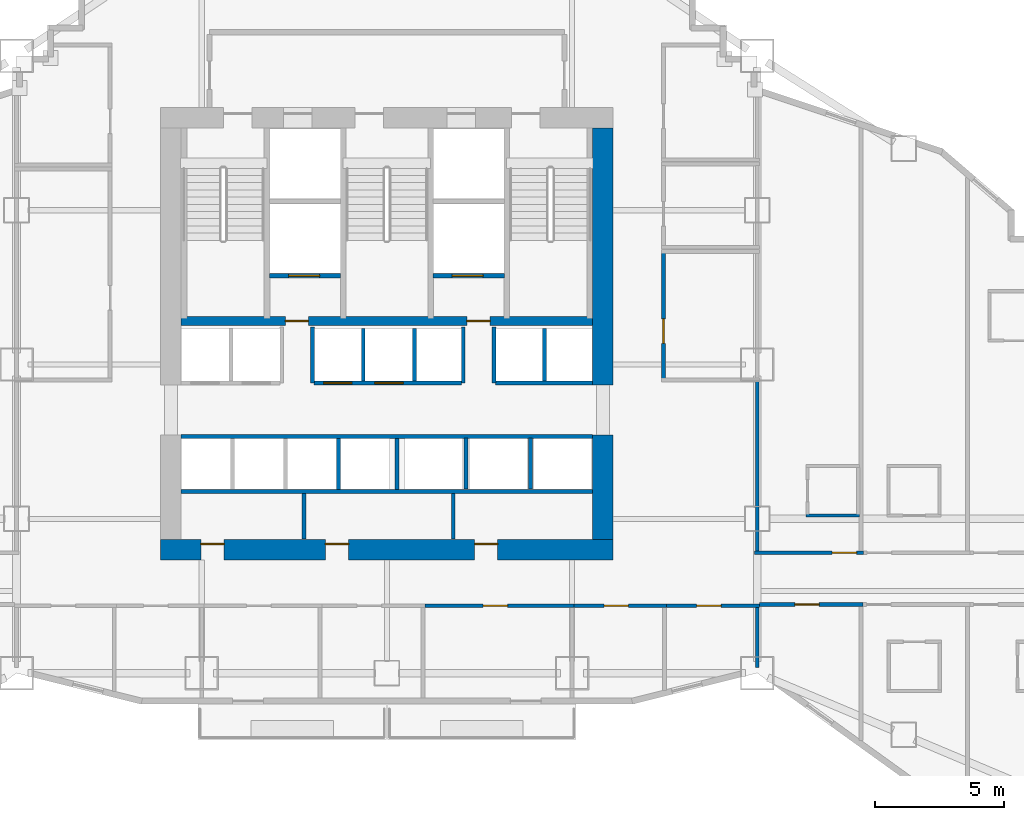
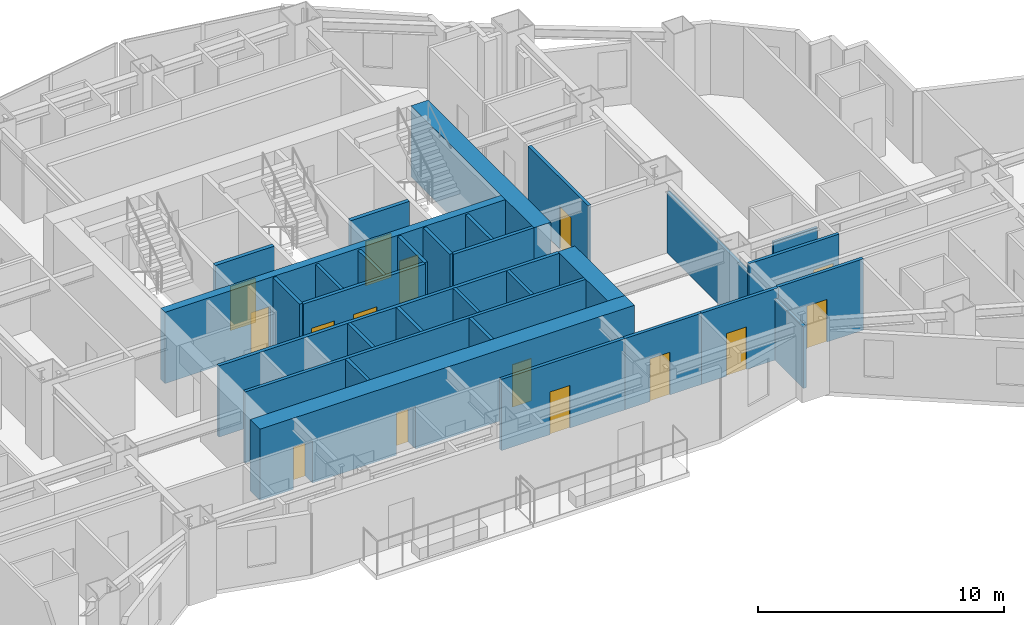
# One storey, part 10 of 19: 31 walls, 15 doors, 15 openings.
"""IFC4 building model written with IfcOpenShell, lengths in metres."""

import ifcopenshell
import ifcopenshell.guid

model = None  # the IFC model being written
_history = None  # IfcOwnerHistory: only IFC2X3 demands one
_inside = {}  # id of a spatial element -> (the spatial element, [elements in it])
_under = {}  # id of a project, library or spatial element -> (it, [spatial elements below it])
_declared = {}  # id of a project -> (the project, [libraries it declares])
_typed = {}  # id of a type object -> (the type object, [elements of that type])
_made_of = {}  # id of a material, layer set ... -> (it, [elements and type objects made of it])


def new_model(schema):
    """Start an empty IFC model of exactly this schema.

    Asked for "IFC4X3", IfcOpenShell would pick the latest addendum, in which some entities
    have other attributes; the version numbers below select the first issue.
    IFC2X3 requires an IfcOwnerHistory on every rooted entity: one is made here for all.
    """
    global model, _history
    if schema == "IFC4X3":
        model = ifcopenshell.file(schema_version=(4, 3, 0, 0))
    else:
        model = ifcopenshell.file(schema=schema)
    _inside.clear()
    _under.clear()
    _declared.clear()
    _typed.clear()
    _made_of.clear()
    _history = None
    if model.schema == "IFC2X3":
        org = make("IfcOrganization", Name="unknown")
        user = make(
            "IfcPersonAndOrganization",
            ThePerson=make("IfcPerson", FamilyName="unknown"),
            TheOrganization=org,
        )
        app = make(
            "IfcApplication",
            ApplicationDeveloper=org,
            Version="unknown",
            ApplicationFullName="unknown",
            ApplicationIdentifier="unknown",
        )
        _history = make(
            "IfcOwnerHistory",
            OwningUser=user,
            OwningApplication=app,
            ChangeAction="ADDED",
            CreationDate=0,
        )
    return model


def make(cls, **values):
    """One entity of the class cls with the attributes given. An attribute that is None is left unset."""
    return model.create_entity(
        cls, **{name: value for name, value in values.items() if value is not None}
    )


def rooted(cls, **values):
    """An entity with a GlobalId (a new one), such as an element, a storey or a relation."""
    return make(cls, GlobalId=ifcopenshell.guid.new(), OwnerHistory=_history, **values)


def si_unit(unit_type, name, prefix=None):
    """IfcSIUnit, for example si_unit("LENGTHUNIT", "METRE", prefix="MILLI")."""
    return make("IfcSIUnit", UnitType=unit_type, Prefix=prefix, Name=name)


def assignment(units):
    """IfcUnitAssignment: the units of a project."""
    return None if units is None else make("IfcUnitAssignment", Units=units)


def point(xyz):
    """IfcCartesianPoint."""
    return None if xyz is None else make("IfcCartesianPoint", Coordinates=xyz)


def direction(xyz):
    """IfcDirection."""
    return None if xyz is None else make("IfcDirection", DirectionRatios=xyz)


def frame(location, z_axis=None, x_axis=None):
    """IfcAxis2Placement3D, a coordinate frame: its origin and axes. An axis left out is left unset."""
    return make(
        "IfcAxis2Placement3D",
        Location=point(location),
        Axis=direction(z_axis),
        RefDirection=direction(x_axis),
    )


def frame_2d(location, x_axis=None):
    """IfcAxis2Placement2D, a coordinate frame in the plane: its origin and x axis."""
    return make(
        "IfcAxis2Placement2D", Location=point(location), RefDirection=direction(x_axis)
    )


def origin():
    """The frame at (0, 0, 0) with its axes left unset."""
    return frame((0.0, 0.0, 0.0))


def place(relative_to, where):
    """IfcLocalPlacement: puts the frame where relative to a parent placement (None: the world)."""
    return make(
        "IfcLocalPlacement", PlacementRelTo=relative_to, RelativePlacement=where
    )


def context(
    kind, dimensions, precision=None, world=None, true_north=None, identifier=None
):
    """IfcGeometricRepresentationContext, for example the 3D "Model" context."""
    return make(
        "IfcGeometricRepresentationContext",
        ContextIdentifier=identifier,
        ContextType=kind,
        CoordinateSpaceDimension=dimensions,
        Precision=precision,
        WorldCoordinateSystem=world,
        TrueNorth=true_north,
    )


def subcontext(parent, identifier, kind, view, scale=None):
    """IfcGeometricRepresentationSubContext, for example "Body" below "Model"."""
    return make(
        "IfcGeometricRepresentationSubContext",
        ContextIdentifier=identifier,
        ContextType=kind,
        ParentContext=parent,
        TargetScale=scale,
        TargetView=view,
    )


def project(units=None, contexts=None):
    """IfcProject with its units and contexts."""
    return rooted(
        "IfcProject",
        Name="project",
        RepresentationContexts=contexts,
        UnitsInContext=assignment(units),
    )


def spatial(cls, under=None, at=None, **own):
    """A site, building, storey or space (cls), placed at a placement, below another one or the project."""
    s = rooted(cls, ObjectPlacement=at, **own)
    if under is not None:
        _under.setdefault(under.id(), (under, []))[1].append(s)
    return s


def profile(cls, at=None, kind="AREA", **sizes):
    """A parametric profile (cls). Its sizes go by their IFC names, for example OverallWidth=200.0."""
    return make(cls, ProfileType=kind, Position=at, **sizes)


def rectangle(**sizes):
    """IfcRectangleProfileDef."""
    return profile("IfcRectangleProfileDef", **sizes)


def extrude(swept, where, along, depth):
    """IfcExtrudedAreaSolid: the profile swept, set in the frame where, extruded along a direction by depth."""
    return make(
        "IfcExtrudedAreaSolid",
        SweptArea=swept,
        Position=where,
        ExtrudedDirection=direction(along),
        Depth=depth,
    )


def shape(context_of_items, identifier, shape_type, items):
    """IfcShapeRepresentation: the items that make up one representation, for example the "Body"."""
    return make(
        "IfcShapeRepresentation",
        ContextOfItems=context_of_items,
        RepresentationIdentifier=identifier,
        RepresentationType=shape_type,
        Items=items,
    )


def material(Name=None, Category=None):
    """IfcMaterial."""
    return make("IfcMaterial", Name=Name, Category=Category)


def layer(
    of_material, thickness, ventilated=None, Name=None, Category=None, Priority=None
):
    """IfcMaterialLayer: one layer of a wall or slab, of a material (None: an air gap)."""
    return make(
        "IfcMaterialLayer",
        Material=of_material,
        LayerThickness=thickness,
        IsVentilated=ventilated,
        Name=Name,
        Category=Category,
        Priority=Priority,
    )


def layer_set(layers, Name=None):
    """IfcMaterialLayerSet."""
    return make("IfcMaterialLayerSet", MaterialLayers=layers, LayerSetName=Name)


def made_of(thing, what):
    """Note that an element or type object is made of a material, layer set ...; save() writes the relation."""
    if what is not None:
        _made_of.setdefault(what.id(), (what, []))[1].append(thing)
    return thing


def type_object(cls, material=None, **own):
    """A type object (cls), such as IfcWallType, which elements share."""
    return made_of(rooted(cls, **own), material)


def element(
    cls,
    number,
    at=None,
    inside=None,
    cuts=None,
    type_object=None,
    material=None,
    context=None,
    identifier="Body",
    shape_type=None,
    held_by="IfcProductDefinitionShape",
    body=None,
    shapes=None,
    **own,
):
    """One element of the class cls, such as IfcWall. Its Tag is "e" and its number.

    at: its placement. inside: the storey or other place that contains it. cuts: it is an
    opening in that element (IfcRelVoidsElement). A single representation is given by context,
    identifier, shape_type and body (its items); several are given by shapes. held_by: the class
    of the entity that holds the representations. save() writes the other relations.
    """
    e = rooted(cls, Tag="e%d" % number, ObjectPlacement=at, **own)
    if body is not None:
        shapes = [shape(context, identifier, shape_type, body)]
    if shapes is not None:
        e.Representation = make(held_by, Representations=shapes)
    if inside is not None:
        _inside.setdefault(inside.id(), (inside, []))[1].append(e)
    if cuts is not None:
        rooted(
            "IfcRelVoidsElement", RelatingBuildingElement=cuts, RelatedOpeningElement=e
        )
    if type_object is not None:
        _typed.setdefault(type_object.id(), (type_object, []))[1].append(e)
    return made_of(e, material)


def fill(opening, filler):
    """IfcRelFillsElement: the door or window that sits in an opening."""
    return rooted(
        "IfcRelFillsElement",
        RelatingOpeningElement=opening,
        RelatedBuildingElement=filler,
    )


def aggregate(whole, parts):
    """IfcRelAggregates: a whole, such as a stair, and the parts it consists of."""
    return rooted("IfcRelAggregates", RelatingObject=whole, RelatedObjects=parts)


def save(model, path):
    """Write the relations noted so far, then the file.

    IfcRelAggregates (storeys below a building ...), IfcRelContainedInSpatialStructure (elements
    in a storey), IfcRelDefinesByType, IfcRelAssociatesMaterial and IfcRelDeclares: one each for
    every whole, place, type object, material and project.
    """
    for whole, parts in _under.values():
        aggregate(whole, parts)
    for where, things in _inside.values():
        rooted(
            "IfcRelContainedInSpatialStructure",
            RelatedElements=things,
            RelatingStructure=where,
        )
    for kind, things in _typed.values():
        rooted("IfcRelDefinesByType", RelatedObjects=things, RelatingType=kind)
    for what, things in _made_of.values():
        rooted("IfcRelAssociatesMaterial", RelatedObjects=things, RelatingMaterial=what)
    for by, libraries in _declared.values():
        rooted("IfcRelDeclares", RelatingContext=by, RelatedDefinitions=libraries)
    model.write(path)


model = new_model("IFC4")

# Units and contexts
model_context = context("Model", 3, precision=1e-05, world=origin(), true_north=direction((0.0, 1.0)))
body_context = subcontext(model_context, "Body", "Model", "MODEL_VIEW")
ifc_project = project(units=[si_unit("LENGTHUNIT", "METRE"), si_unit("AREAUNIT", "SQUARE_METRE"), si_unit("VOLUMEUNIT", "CUBIC_METRE"), si_unit("PLANEANGLEUNIT", "RADIAN"), si_unit("MASSUNIT", "GRAM", prefix="KILO")], contexts=[model_context])

# Site, building, storey
site_placement = place(None, origin())
site = spatial("IfcSite", under=ifc_project, at=site_placement, CompositionType="ELEMENT")
building_placement = place(site_placement, origin())
building = spatial("IfcBuilding", under=site, at=building_placement, Name="Haolan Belvedere Tower", CompositionType="ELEMENT")
storey_placement = place(building_placement, frame((0.0, 0.0, 39.199951171875)))
storey = spatial("IfcBuildingStorey", under=building, at=storey_placement, Name="L09", CompositionType="ELEMENT", Elevation=39.199951171875)

# Wall, openings, doors
ifc_material_1 = material(Name="Concrete C70/85", Category="concrete")
ifc_layer_1 = layer(ifc_material_1, 0.800048828125, Name="Concrete C70/85")
ifc_layer_set_1 = layer_set([ifc_layer_1], Name="Concrete C70/85")
wall_type_1 = type_object("IfcWallType", Name="WL-CORE-800", PredefinedType="SHEAR", material=ifc_layer_set_1)
wall_1_placement = place(storey_placement, frame((29.60009765625, 26.39990234375, 0.0), z_axis=(0.0, 0.0, 1.0), x_axis=(1.0, 0.0, 0.0)))
wall_1 = element("IfcWall", 1, at=wall_1_placement, inside=storey, type_object=wall_type_1, Name="L09 central core south shear wall", PredefinedType="SHEAR", context=body_context, shape_type="SweptSolid", body=[
    extrude(rectangle(XDim=17.599853515625, YDim=0.800048828125, at=frame_2d((8.7998046875, 0.0))), origin(), (0.0, 0.0, 1.0), 3.5400390625),
])
opening_1_placement = place(wall_1_placement, frame((2.469970703125, 0.0, 0.0), z_axis=(0.0, 0.0, 1.0), x_axis=(-1.0, 0.0, 0.0)))
opening_1 = element("IfcOpeningElement", 2, at=opening_1_placement, cuts=wall_1, Name="Opening FD-05", PredefinedType="OPENING", context=body_context, shape_type="SweptSolid", body=[
    extrude(rectangle(XDim=0.89990234375, YDim=2.10009765625, at=frame_2d((0.449951171875, 1.050048828125))), frame((0.0, 0.409912109375, 0.0), z_axis=(0.0, -1.0, 0.0), x_axis=(1.0, 0.0, 0.0)), (0.0, 0.0, 1.0), 0.820068359375),
])
opening_2_placement = place(wall_1_placement, frame((7.309814453125, 0.0, 0.0), z_axis=(0.0, 0.0, 1.0), x_axis=(-1.0, 0.0, 0.0)))
opening_2 = element("IfcOpeningElement", 3, at=opening_2_placement, cuts=wall_1, Name="Opening FD-05", PredefinedType="OPENING", context=body_context, shape_type="SweptSolid", body=[
    extrude(rectangle(XDim=0.89990234375, YDim=2.10009765625, at=frame_2d((0.449951171875, 1.050048828125))), frame((0.0, 0.409912109375, 0.0), z_axis=(0.0, -1.0, 0.0), x_axis=(1.0, 0.0, 0.0)), (0.0, 0.0, 1.0), 0.820068359375),
])
opening_3_placement = place(wall_1_placement, frame((13.10986328125, 0.0, 0.0), z_axis=(0.0, 0.0, 1.0), x_axis=(-1.0, 0.0, 0.0)))
opening_3 = element("IfcOpeningElement", 4, at=opening_3_placement, cuts=wall_1, Name="Opening FD-05", PredefinedType="OPENING", context=body_context, shape_type="SweptSolid", body=[
    extrude(rectangle(XDim=0.89990234375, YDim=2.10009765625, at=frame_2d((0.449951171875, 1.050048828125))), frame((0.0, 0.409912109375, 0.0), z_axis=(0.0, -1.0, 0.0), x_axis=(1.0, 0.0, 0.0)), (0.0, 0.0, 1.0), 0.820068359375),
])
ifc_material_2 = material(Name="Galvanised fire-rated steel", Category="steel")
door_type_1 = type_object("IfcDoorType", Name="DR-FD60-900", OperationType="NOTDEFINED", PredefinedType="DOOR", material=ifc_material_2)
door_1_placement = place(opening_1_placement, origin())
door_1 = element("IfcDoor", 5, at=door_1_placement, inside=storey, type_object=door_type_1, Name="L09 door CD-L09-SCV-1", OperationType="SINGLE_SWING_LEFT", OverallHeight=2.10009765625, OverallWidth=0.89990234375, PredefinedType="DOOR", context=body_context, shape_type="SweptSolid", body=[
    extrude(rectangle(XDim=0.89990234375, YDim=2.10009765625, at=frame_2d((0.449951171875, 1.050048828125))), frame((0.0, -0.19482421875, 0.0), z_axis=(0.0, -1.0, 0.0), x_axis=(1.0, 0.0, 0.0)), (0.0, 0.0, 1.0), 0.050048828125),
])
fill(opening_1, door_1)
door_2_placement = place(opening_2_placement, origin())
door_2 = element("IfcDoor", 6, at=door_2_placement, inside=storey, type_object=door_type_1, Name="L09 door CD-L09-SCV-2", OperationType="SINGLE_SWING_RIGHT", OverallHeight=2.10009765625, OverallWidth=0.89990234375, PredefinedType="DOOR", context=body_context, shape_type="SweptSolid", body=[
    extrude(rectangle(XDim=0.89990234375, YDim=2.10009765625, at=frame_2d((0.449951171875, 1.050048828125))), frame((0.0, -0.19482421875, 0.0), z_axis=(0.0, -1.0, 0.0), x_axis=(1.0, 0.0, 0.0)), (0.0, 0.0, 1.0), 0.050048828125),
])
fill(opening_2, door_2)
door_3_placement = place(opening_3_placement, origin())
door_3 = element("IfcDoor", 7, at=door_3_placement, inside=storey, type_object=door_type_1, Name="L09 door CD-L09-SCV-3", OperationType="SINGLE_SWING_LEFT", OverallHeight=2.10009765625, OverallWidth=0.89990234375, PredefinedType="DOOR", context=body_context, shape_type="SweptSolid", body=[
    extrude(rectangle(XDim=0.89990234375, YDim=2.10009765625, at=frame_2d((0.449951171875, 1.050048828125))), frame((0.0, -0.19482421875, 0.0), z_axis=(0.0, -1.0, 0.0), x_axis=(1.0, 0.0, 0.0)), (0.0, 0.0, 1.0), 0.050048828125),
])
fill(opening_3, door_3)

# Walls
wall_2_placement = place(storey_placement, frame((46.800048828125, 26.800048828125, 0.0), z_axis=(0.0, 0.0, 1.0), x_axis=(0.0, 1.0, 0.0)))
element("IfcWall", 8, at=wall_2_placement, inside=storey, type_object=wall_type_1, Name="L09 central core shear wall ES", PredefinedType="SHEAR", context=body_context, shape_type="SweptSolid", body=[
    extrude(rectangle(XDim=4.050048828125, YDim=0.800048828125, at=frame_2d((2.02490234375, 0.0))), origin(), (0.0, 0.0, 1.0), 3.5400390625),
])
wall_3_placement = place(storey_placement, frame((46.800048828125, 32.800048828125, 0.0), z_axis=(0.0, 0.0, 1.0), x_axis=(0.0, 1.0, 0.0)))
element("IfcWall", 9, at=wall_3_placement, inside=storey, type_object=wall_type_1, Name="L09 central core shear wall EN", PredefinedType="SHEAR", context=body_context, shape_type="SweptSolid", body=[
    extrude(rectangle(XDim=10.0, YDim=0.800048828125, at=frame_2d((5.0, 0.0))), origin(), (0.0, 0.0, 1.0), 3.5400390625),
])
ifc_material_3 = material(Name="Double gypsum acoustic stud partition", Category="masonry")
ifc_layer_2 = layer(ifc_material_3, 0.14990234375, Name="Double gypsum acoustic stud partition")
ifc_layer_set_2 = layer_set([ifc_layer_2], Name="Double gypsum acoustic stud partition")
wall_type_2 = type_object("IfcWallType", Name="WL-PART-150", PredefinedType="PARTITIONING", material=ifc_layer_set_2)
wall_4_placement = place(storey_placement, frame((30.39990234375, 28.659912109375, 0.0), z_axis=(0.0, 0.0, 1.0), x_axis=(1.0, 0.0, 0.0)))
element("IfcWall", 10, at=wall_4_placement, inside=storey, type_object=wall_type_2, Name="L09 interior partition IW-L09-SSTRIP-N", PredefinedType="PARTITIONING", context=body_context, shape_type="SweptSolid", body=[
    extrude(rectangle(XDim=16.0, YDim=0.14990234375, at=frame_2d((8.0, 0.0))), origin(), (0.0, 0.0, 1.0), 3.5400390625),
])
for number, where, z_axis, x_axis, name in (
    (11, (35.179931640625, 26.81005859375, 0.0), (0.0, 0.0, 1.0), (0.0, 1.0, 0.0), "L09 interior partition IW-L09-SCV-DIV-1"),
    (12, (40.97998046875, 26.81005859375, 0.0), (0.0, 0.0, 1.0), (0.0, 1.0, 0.0), "L09 interior partition IW-L09-SCV-DIV-2"),
):
    element("IfcWall", number, at=place(storey_placement, frame(where, z_axis=z_axis, x_axis=x_axis)), inside=storey, type_object=wall_type_2, Name=name, PredefinedType="PARTITIONING", context=body_context, shape_type="SweptSolid", body=[
        extrude(rectangle(XDim=1.77001953125, YDim=0.14990234375, at=frame_2d((0.885009765625, 0.0))), origin(), (0.0, 0.0, 1.0), 3.5400390625),
    ])

# Wall, opening, door
wall_5_placement = place(storey_placement, frame((49.159912109375, 33.06005859375, 0.0), z_axis=(0.0, 0.0, 1.0), x_axis=(0.0, 1.0, 0.0)))
wall_5 = element("IfcWall", 13, at=wall_5_placement, inside=storey, type_object=wall_type_2, Name="L09 interior partition IW-L09-BPN-W", PredefinedType="PARTITIONING", context=body_context, shape_type="SweptSolid", body=[
    extrude(rectangle(XDim=4.8798828125, YDim=0.14990234375, at=frame_2d((2.43994140625, 0.0))), origin(), (0.0, 0.0, 1.0), 3.5400390625),
])
opening_4_placement = place(wall_5_placement, frame((1.360107421875, 0.0, 0.0)))
opening_4 = element("IfcOpeningElement", 14, at=opening_4_placement, cuts=wall_5, Name="Opening ID-03", PredefinedType="OPENING", context=body_context, shape_type="SweptSolid", body=[
    extrude(rectangle(XDim=0.949951171875, YDim=2.1201171875, at=frame_2d((0.47509765625, 1.06005859375))), frame((0.0, 0.0849609375, 0.0), z_axis=(0.0, -1.0, 0.0), x_axis=(1.0, 0.0, 0.0)), (0.0, 0.0, 1.0), 0.169921875),
])
ifc_material_4 = material(Name="Painted solid-core timber", Category="wood")
door_type_2 = type_object("IfcDoorType", Name="DR-INT-950", OperationType="NOTDEFINED", PredefinedType="DOOR", material=ifc_material_4)
door_4_placement = place(opening_4_placement, origin())
door_4 = element("IfcDoor", 15, at=door_4_placement, inside=storey, type_object=door_type_2, Name="L09 door ID-L09-BPN", OperationType="SINGLE_SWING_RIGHT", OverallHeight=2.1201171875, OverallWidth=0.949951171875, PredefinedType="DOOR", context=body_context, shape_type="SweptSolid", body=[
    extrude(rectangle(XDim=0.949951171875, YDim=2.1201171875, at=frame_2d((0.47509765625, 1.06005859375))), frame((0.0, 0.02490234375, 0.0), z_axis=(0.0, -1.0, 0.0), x_axis=(1.0, 0.0, 0.0)), (0.0, 0.0, 1.0), 0.050048828125),
])
fill(opening_4, door_4)

wall_6_placement = place(storey_placement, frame((39.882080078125, 24.219970703125, 0.0), z_axis=(0.0, 0.0, 1.0), x_axis=(1.0, 0.0, 0.0)))
wall_6 = element("IfcWall", 16, at=wall_6_placement, inside=storey, type_object=wall_type_2, Name="L09 interior partition IW-L09-KS5-N", PredefinedType="PARTITIONING", context=body_context, shape_type="SweptSolid", body=[
    extrude(rectangle(XDim=5.7978515625, YDim=0.14990234375, at=frame_2d((2.89892578125, 0.0))), origin(), (0.0, 0.0, 1.0), 3.5400390625),
])
opening_5_placement = place(wall_6_placement, frame((3.212890625, 0.0, 0.0), z_axis=(0.0, 0.0, 1.0), x_axis=(-1.0, 0.0, 0.0)))
opening_5 = element("IfcOpeningElement", 17, at=opening_5_placement, cuts=wall_6, Name="Opening ID-03", PredefinedType="OPENING", context=body_context, shape_type="SweptSolid", body=[
    extrude(rectangle(XDim=0.949951171875, YDim=2.1201171875, at=frame_2d((0.47509765625, 1.06005859375))), frame((0.0, 0.0849609375, 0.0), z_axis=(0.0, -1.0, 0.0), x_axis=(1.0, 0.0, 0.0)), (0.0, 0.0, 1.0), 0.169921875),
])
door_5_placement = place(opening_5_placement, origin())
door_5 = element("IfcDoor", 18, at=door_5_placement, inside=storey, type_object=door_type_2, Name="L09 door ID-L09-KS5", OperationType="SINGLE_SWING_LEFT", OverallHeight=2.1201171875, OverallWidth=0.949951171875, PredefinedType="DOOR", context=body_context, shape_type="SweptSolid", body=[
    extrude(rectangle(XDim=0.949951171875, YDim=2.1201171875, at=frame_2d((0.47509765625, 1.06005859375))), frame((0.0, 0.02490234375, 0.0), z_axis=(0.0, -1.0, 0.0), x_axis=(1.0, 0.0, 0.0)), (0.0, 0.0, 1.0), 0.050048828125),
])
fill(opening_5, door_5)

wall_7_placement = place(storey_placement, frame((45.681884765625, 24.219970703125, 0.0), z_axis=(0.0, 0.0, 1.0), x_axis=(1.0, 0.0, 0.0)))
wall_7 = element("IfcWall", 19, at=wall_7_placement, inside=storey, type_object=wall_type_2, Name="L09 interior partition IW-L09-KS6-N", PredefinedType="PARTITIONING", context=body_context, shape_type="SweptSolid", body=[
    extrude(rectangle(XDim=3.59814453125, YDim=0.14990234375, at=frame_2d((1.799072265625, 0.0))), origin(), (0.0, 0.0, 1.0), 3.5400390625),
])
opening_6_placement = place(wall_7_placement, frame((2.113037109375, 0.0, 0.0), z_axis=(0.0, 0.0, 1.0), x_axis=(-1.0, 0.0, 0.0)))
opening_6 = element("IfcOpeningElement", 20, at=opening_6_placement, cuts=wall_7, Name="Opening ID-03", PredefinedType="OPENING", context=body_context, shape_type="SweptSolid", body=[
    extrude(rectangle(XDim=0.949951171875, YDim=2.1201171875, at=frame_2d((0.47509765625, 1.06005859375))), frame((0.0, 0.0849609375, 0.0), z_axis=(0.0, -1.0, 0.0), x_axis=(1.0, 0.0, 0.0)), (0.0, 0.0, 1.0), 0.169921875),
])
door_6_placement = place(opening_6_placement, origin())
door_6 = element("IfcDoor", 21, at=door_6_placement, inside=storey, type_object=door_type_2, Name="L09 door ID-L09-KS6", OperationType="SINGLE_SWING_RIGHT", OverallHeight=2.1201171875, OverallWidth=0.949951171875, PredefinedType="DOOR", context=body_context, shape_type="SweptSolid", body=[
    extrude(rectangle(XDim=0.949951171875, YDim=2.1201171875, at=frame_2d((0.47509765625, 1.06005859375))), frame((0.0, 0.02490234375, 0.0), z_axis=(0.0, -1.0, 0.0), x_axis=(1.0, 0.0, 0.0)), (0.0, 0.0, 1.0), 0.050048828125),
])
fill(opening_6, door_6)

wall_8_placement = place(storey_placement, frame((49.281982421875, 24.219970703125, 0.0), z_axis=(0.0, 0.0, 1.0), x_axis=(1.0, 0.0, 0.0)))
wall_8 = element("IfcWall", 22, at=wall_8_placement, inside=storey, type_object=wall_type_2, Name="L09 interior partition IW-L09-KS7-N", PredefinedType="PARTITIONING", context=body_context, shape_type="SweptSolid", body=[
    extrude(rectangle(XDim=3.597900390625, YDim=0.14990234375, at=frame_2d((1.798828125, 0.0))), origin(), (0.0, 0.0, 1.0), 3.5400390625),
])
opening_7_placement = place(wall_8_placement, frame((2.113037109375, 0.0, 0.0), z_axis=(0.0, 0.0, 1.0), x_axis=(-1.0, 0.0, 0.0)))
opening_7 = element("IfcOpeningElement", 23, at=opening_7_placement, cuts=wall_8, Name="Opening ID-03", PredefinedType="OPENING", context=body_context, shape_type="SweptSolid", body=[
    extrude(rectangle(XDim=0.949951171875, YDim=2.1201171875, at=frame_2d((0.47509765625, 1.06005859375))), frame((0.0, 0.0849609375, 0.0), z_axis=(0.0, -1.0, 0.0), x_axis=(1.0, 0.0, 0.0)), (0.0, 0.0, 1.0), 0.169921875),
])
door_7_placement = place(opening_7_placement, origin())
door_7 = element("IfcDoor", 24, at=door_7_placement, inside=storey, type_object=door_type_2, Name="L09 door ID-L09-KS7", OperationType="SINGLE_SWING_LEFT", OverallHeight=2.1201171875, OverallWidth=0.949951171875, PredefinedType="DOOR", context=body_context, shape_type="SweptSolid", body=[
    extrude(rectangle(XDim=0.949951171875, YDim=2.1201171875, at=frame_2d((0.47509765625, 1.06005859375))), frame((0.0, 0.02490234375, 0.0), z_axis=(0.0, -1.0, 0.0), x_axis=(1.0, 0.0, 0.0)), (0.0, 0.0, 1.0), 0.050048828125),
])
fill(opening_7, door_7)

# Wall
wall_9_placement = place(storey_placement, frame((52.800048828125, 21.818603515625, 0.0), z_axis=(0.0, 0.0, 1.0), x_axis=(0.0, 1.0, 0.0)))
element("IfcWall", 25, at=wall_9_placement, inside=storey, type_object=wall_type_2, Name="L09 interior partition IW-L09-KS7-E", PredefinedType="PARTITIONING", context=body_context, shape_type="SweptSolid", body=[
    extrude(rectangle(XDim=2.34130859375, YDim=0.14990234375, at=frame_2d((1.170654296875, 0.0))), origin(), (0.0, 0.0, 1.0), 3.037109375),
])

# Wall, opening, door
wall_10_placement = place(storey_placement, frame((52.699951171875, 26.280029296875, 0.0), z_axis=(0.0, 0.0, 1.0), x_axis=(1.0, 0.0, 0.0)))
wall_10 = element("IfcWall", 26, at=wall_10_placement, inside=storey, type_object=wall_type_2, Name="L09 interior partition IW-L09-T4N1-S", PredefinedType="PARTITIONING", context=body_context, shape_type="SweptSolid", body=[
    extrude(rectangle(XDim=4.22998046875, YDim=0.14990234375, at=frame_2d((2.114990234375, 0.0))), origin(), (0.0, 0.0, 1.0), 3.5400390625),
])
opening_8_placement = place(wall_10_placement, frame((3.014404296875, 0.0, 0.0)))
opening_8 = element("IfcOpeningElement", 27, at=opening_8_placement, cuts=wall_10, Name="Opening ID-01", PredefinedType="OPENING", context=body_context, shape_type="SweptSolid", body=[
    extrude(rectangle(XDim=0.949951171875, YDim=2.179931640625, at=frame_2d((0.47509765625, 1.08984375))), frame((0.0, 0.0849609375, 0.0), z_axis=(0.0, -1.0, 0.0), x_axis=(1.0, 0.0, 0.0)), (0.0, 0.0, 1.0), 0.169921875),
])
ifc_material_5 = material(Name="Acoustic walnut veneer fire-rated timber", Category="wood")
door_type_3 = type_object("IfcDoorType", Name="DR-SUITE-950", OperationType="NOTDEFINED", PredefinedType="DOOR", material=ifc_material_5)
door_8_placement = place(opening_8_placement, origin())
door_8 = element("IfcDoor", 28, at=door_8_placement, inside=storey, type_object=door_type_3, Name="L09 door ID-L09-T4N1-ENT", OperationType="SINGLE_SWING_RIGHT", OverallHeight=2.179931640625, OverallWidth=0.949951171875, PredefinedType="DOOR", context=body_context, shape_type="SweptSolid", body=[
    extrude(rectangle(XDim=0.949951171875, YDim=2.179931640625, at=frame_2d((0.47509765625, 1.08984375))), frame((0.0, 0.02490234375, 0.0), z_axis=(0.0, -1.0, 0.0), x_axis=(1.0, 0.0, 0.0)), (0.0, 0.0, 1.0), 0.050048828125),
])
fill(opening_8, door_8)

# Wall
wall_11_placement = place(storey_placement, frame((52.800048828125, 26.340087890625, 0.0), z_axis=(0.0, 0.0, 1.0), x_axis=(0.0, 1.0, 0.0)))
element("IfcWall", 29, at=wall_11_placement, inside=storey, type_object=wall_type_2, Name="L09 interior partition IW-L09-T4N1-W", PredefinedType="PARTITIONING", context=body_context, shape_type="SweptSolid", body=[
    extrude(rectangle(XDim=6.599853515625, YDim=0.14990234375, at=frame_2d((3.2998046875, 0.0))), origin(), (0.0, 0.0, 1.0), 3.037109375),
])

# Wall, opening, door
wall_12_placement = place(storey_placement, frame((52.882080078125, 24.27001953125, 0.0), z_axis=(0.0, 0.0, 1.0), x_axis=(1.0, 0.0, 0.0)))
wall_12 = element("IfcWall", 30, at=wall_12_placement, inside=storey, type_object=wall_type_2, Name="L09 interior partition IW-L09-T4S1-N", PredefinedType="PARTITIONING", context=body_context, shape_type="SweptSolid", body=[
    extrude(rectangle(XDim=4.02783203125, YDim=0.14990234375, at=frame_2d((2.013916015625, 0.0))), origin(), (0.0, 0.0, 1.0), 3.5400390625),
])
opening_9_placement = place(wall_12_placement, frame((2.327880859375, 0.0, 0.0), z_axis=(0.0, 0.0, 1.0), x_axis=(-1.0, 0.0, 0.0)))
opening_9 = element("IfcOpeningElement", 31, at=opening_9_placement, cuts=wall_12, Name="Opening ID-03", PredefinedType="OPENING", context=body_context, shape_type="SweptSolid", body=[
    extrude(rectangle(XDim=0.949951171875, YDim=2.1201171875, at=frame_2d((0.47509765625, 1.06005859375))), frame((0.0, 0.0849609375, 0.0), z_axis=(0.0, -1.0, 0.0), x_axis=(1.0, 0.0, 0.0)), (0.0, 0.0, 1.0), 0.169921875),
])
door_9_placement = place(opening_9_placement, origin())
door_9 = element("IfcDoor", 32, at=door_9_placement, inside=storey, type_object=door_type_2, Name="L09 door ID-L09-T4S1", OperationType="SINGLE_SWING_LEFT", OverallHeight=2.1201171875, OverallWidth=0.949951171875, PredefinedType="DOOR", context=body_context, shape_type="SweptSolid", body=[
    extrude(rectangle(XDim=0.949951171875, YDim=2.1201171875, at=frame_2d((0.47509765625, 1.06005859375))), frame((0.0, 0.02490234375, 0.0), z_axis=(0.0, -1.0, 0.0), x_axis=(1.0, 0.0, 0.0)), (0.0, 0.0, 1.0), 0.050048828125),
])
fill(opening_9, door_9)

# Walls
ifc_material_6 = material(Name="Gypsum fire shaftwall assembly", Category="masonry")
ifc_layer_3 = layer(ifc_material_6, 0.1650390625, Name="Gypsum fire shaftwall assembly")
ifc_layer_set_3 = layer_set([ifc_layer_3], Name="Gypsum fire shaftwall assembly")
wall_type_3 = type_object("IfcWallType", Name="WL-SHAFT-160", PredefinedType="SOLIDWALL", material=ifc_layer_set_3)
for number, where, z_axis, x_axis, name in (
    (33, (35.510009765625, 32.8798828125, 0.0), (0.0, 0.0, 1.0), (0.0, 1.0, 0.0), "L09 interior partition IW-L09-SVP-E-SV1"),
    (34, (41.3701171875, 32.8798828125, 0.0), (0.0, 0.0, 1.0), (0.0, 1.0, 0.0), "L09 interior partition IW-L09-SVP-W-SV2"),
    (35, (42.570068359375, 32.8798828125, 0.0), (0.0, 0.0, 1.0), (0.0, 1.0, 0.0), "L09 interior partition IW-L09-SVP-E-SV2"),
):
    element("IfcWall", number, at=place(storey_placement, frame(where, z_axis=z_axis, x_axis=x_axis)), inside=storey, type_object=wall_type_3, Name=name, PredefinedType="SOLIDWALL", context=body_context, shape_type="SweptSolid", body=[
        extrude(rectangle(XDim=2.170166015625, YDim=0.14990234375, at=frame_2d((1.0849609375, 0.0))), origin(), (0.0, 0.0, 1.0), 3.5400390625),
    ])

# Wall, openings, doors
wall_13_placement = place(storey_placement, frame((35.570068359375, 32.8798828125, 0.0), z_axis=(0.0, 0.0, 1.0), x_axis=(1.0, 0.0, 0.0)))
wall_13 = element("IfcWall", 36, at=wall_13_placement, inside=storey, type_object=wall_type_3, Name="L09 interior partition IW-L09-ROW-PN2", PredefinedType="SOLIDWALL", context=body_context, shape_type="SweptSolid", body=[
    extrude(rectangle(XDim=5.739990234375, YDim=0.159912109375, at=frame_2d((2.8701171875, 0.0))), origin(), (0.0, 0.0, 1.0), 3.5400390625),
])
opening_10_placement = place(wall_13_placement, frame((1.47021484375, 0.0, 0.0), z_axis=(0.0, 0.0, 1.0), x_axis=(-1.0, 0.0, 0.0)))
opening_10 = element("IfcOpeningElement", 37, at=opening_10_placement, cuts=wall_13, Name="Opening LD-01", PredefinedType="OPENING", context=body_context, shape_type="SweptSolid", body=[
    extrude(rectangle(XDim=1.10009765625, YDim=2.199951171875, at=frame_2d((0.550048828125, 1.10009765625))), frame((0.0, 0.08984375, 0.0), z_axis=(0.0, -1.0, 0.0), x_axis=(1.0, 0.0, 0.0)), (0.0, 0.0, 1.0), 0.179931640625),
])
opening_11_placement = place(wall_13_placement, frame((3.460205078125, 0.0, 0.0), z_axis=(0.0, 0.0, 1.0), x_axis=(-1.0, 0.0, 0.0)))
opening_11 = element("IfcOpeningElement", 38, at=opening_11_placement, cuts=wall_13, Name="Opening LD-01", PredefinedType="OPENING", context=body_context, shape_type="SweptSolid", body=[
    extrude(rectangle(XDim=1.10009765625, YDim=2.199951171875, at=frame_2d((0.550048828125, 1.10009765625))), frame((0.0, 0.08984375, 0.0), z_axis=(0.0, -1.0, 0.0), x_axis=(1.0, 0.0, 0.0)), (0.0, 0.0, 1.0), 0.179931640625),
])
ifc_material_7 = material(Name="Brushed champagne stainless steel 316L", Category="steel")
door_type_4 = type_object("IfcDoorType", Name="DR-LIFT-1100", OperationType="SLIDING_TO_LEFT", PredefinedType="DOOR", material=ifc_material_7)
door_10_placement = place(opening_10_placement, origin())
door_10 = element("IfcDoor", 39, at=door_10_placement, inside=storey, type_object=door_type_4, Name="L09 door ID-L09-LD-PL3", OperationType="SLIDING_TO_LEFT", OverallHeight=2.199951171875, OverallWidth=1.10009765625, PredefinedType="DOOR", context=body_context, shape_type="SweptSolid", body=[
    extrude(rectangle(XDim=1.10009765625, YDim=2.199951171875, at=frame_2d((0.550048828125, 1.10009765625))), frame((0.0, 0.02490234375, 0.0), z_axis=(0.0, -1.0, 0.0), x_axis=(1.0, 0.0, 0.0)), (0.0, 0.0, 1.0), 0.050048828125),
])
fill(opening_10, door_10)
door_11_placement = place(opening_11_placement, origin())
door_11 = element("IfcDoor", 40, at=door_11_placement, inside=storey, type_object=door_type_4, Name="L09 door ID-L09-LD-PL4", OperationType="SLIDING_TO_LEFT", OverallHeight=2.199951171875, OverallWidth=1.10009765625, PredefinedType="DOOR", context=body_context, shape_type="SweptSolid", body=[
    extrude(rectangle(XDim=1.10009765625, YDim=2.199951171875, at=frame_2d((0.550048828125, 1.10009765625))), frame((0.0, 0.02490234375, 0.0), z_axis=(0.0, -1.0, 0.0), x_axis=(1.0, 0.0, 0.0)), (0.0, 0.0, 1.0), 0.050048828125),
])
fill(opening_11, door_11)

# Walls
wall_14_placement = place(storey_placement, frame((42.6298828125, 32.8798828125, 0.0), z_axis=(0.0, 0.0, 1.0), x_axis=(1.0, 0.0, 0.0)))
element("IfcWall", 41, at=wall_14_placement, inside=storey, type_object=wall_type_3, Name="L09 interior partition IW-L09-ROW-PN3", PredefinedType="SOLIDWALL", context=body_context, shape_type="SweptSolid", body=[
    extrude(rectangle(XDim=3.77001953125, YDim=0.159912109375, at=frame_2d((1.885009765625, 0.0))), origin(), (0.0, 0.0, 1.0), 3.5400390625),
])
for number, where, z_axis, x_axis, name in (
    (42, (37.47998046875, 32.949951171875, 0.0), (0.0, 0.0, 1.0), (0.0, 1.0, 0.0), "L09 interior partition IW-L09-DIV-PL3"),
    (43, (39.469970703125, 32.949951171875, 0.0), (0.0, 0.0, 1.0), (0.0, 1.0, 0.0), "L09 interior partition IW-L09-DIV-PL4"),
    (44, (44.530029296875, 32.949951171875, 0.0), (0.0, 0.0, 1.0), (0.0, 1.0, 0.0), "L09 interior partition IW-L09-DIV-PH2"),
):
    element("IfcWall", number, at=place(storey_placement, frame(where, z_axis=z_axis, x_axis=x_axis)), inside=storey, type_object=wall_type_3, Name=name, PredefinedType="SOLIDWALL", context=body_context, shape_type="SweptSolid", body=[
        extrude(rectangle(XDim=2.050048828125, YDim=0.14990234375, at=frame_2d((1.02490234375, 0.0))), origin(), (0.0, 0.0, 1.0), 3.5400390625),
    ])
wall_15_placement = place(storey_placement, frame((30.39990234375, 30.800048828125, 0.0), z_axis=(0.0, 0.0, 1.0), x_axis=(1.0, 0.0, 0.0)))
element("IfcWall", 45, at=wall_15_placement, inside=storey, type_object=wall_type_3, Name="L09 interior partition IW-L09-ROW-PS", PredefinedType="SOLIDWALL", context=body_context, shape_type="SweptSolid", body=[
    extrude(rectangle(XDim=16.0, YDim=0.159912109375, at=frame_2d((8.0, 0.0))), origin(), (0.0, 0.0, 1.0), 3.5400390625),
])
for number, where, z_axis, x_axis, name in (
    (46, (36.52001953125, 28.735107421875, 0.0), (0.0, 0.0, 1.0), (0.0, 1.0, 0.0), "L09 interior partition IW-L09-DIV-PM3"),
    (47, (38.800048828125, 28.735107421875, 0.0), (0.0, 0.0, 1.0), (0.0, 1.0, 0.0), "L09 interior partition IW-L09-DIV-PM4"),
):
    element("IfcWall", number, at=place(storey_placement, frame(where, z_axis=z_axis, x_axis=x_axis)), inside=storey, type_object=wall_type_3, Name=name, PredefinedType="SOLIDWALL", context=body_context, shape_type="SweptSolid", body=[
        extrude(rectangle(XDim=1.98486328125, YDim=0.14990234375, at=frame_2d((0.992431640625, 0.0))), origin(), (0.0, 0.0, 1.0), 3.5400390625),
    ])
for number, where, z_axis, x_axis, name in (
    (48, (41.469970703125, 28.75, 0.0), (0.0, 0.0, 1.0), (0.0, 1.0, 0.0), "L09 interior partition IW-L09-DIV-OB1"),
    (49, (43.97998046875, 28.75, 0.0), (0.0, 0.0, 1.0), (0.0, 1.0, 0.0), "L09 interior partition IW-L09-DIV-OB2"),
):
    element("IfcWall", number, at=place(storey_placement, frame(where, z_axis=z_axis, x_axis=x_axis)), inside=storey, type_object=wall_type_3, Name=name, PredefinedType="SOLIDWALL", context=body_context, shape_type="SweptSolid", body=[
        extrude(rectangle(XDim=1.985107421875, YDim=0.14990234375, at=frame_2d((0.99267578125, 0.0))), origin(), (0.0, 0.0, 1.0), 3.5400390625),
    ])

# Wall, opening, door
ifc_material_8 = material(Name="Precast concrete C40/50", Category="concrete")
ifc_layer_4 = layer(ifc_material_8, 0.179931640625, Name="Precast concrete C40/50")
ifc_layer_set_4 = layer_set([ifc_layer_4], Name="Precast concrete C40/50")
wall_type_4 = type_object("IfcWallType", Name="WL-SHAFT-180", PredefinedType="SOLIDWALL", material=ifc_layer_set_4)
wall_16_placement = place(storey_placement, frame((33.8349609375, 37.050048828125, 0.0), z_axis=(0.0, 0.0, 1.0), x_axis=(1.0, 0.0, 0.0)))
wall_16 = element("IfcWall", 50, at=wall_16_placement, inside=storey, type_object=wall_type_4, Name="L09 interior partition IW-L09-SV1-S", PredefinedType="SOLIDWALL", context=body_context, shape_type="SweptSolid", body=[
    extrude(rectangle(XDim=2.77001953125, YDim=0.179931640625, at=frame_2d((1.385009765625, 0.0))), origin(), (0.0, 0.0, 1.0), 3.5400390625),
])
opening_12_placement = place(wall_16_placement, frame((1.945068359375, 0.0, 0.0), z_axis=(0.0, 0.0, 1.0), x_axis=(-1.0, 0.0, 0.0)))
opening_12 = element("IfcOpeningElement", 51, at=opening_12_placement, cuts=wall_16, Name="Opening LD-02", PredefinedType="OPENING", context=body_context, shape_type="SweptSolid", body=[
    extrude(rectangle(XDim=1.199951171875, YDim=2.199951171875, at=frame_2d((0.60009765625, 1.10009765625))), frame((0.0, 0.099853515625, 0.0), z_axis=(0.0, -1.0, 0.0), x_axis=(1.0, 0.0, 0.0)), (0.0, 0.0, 1.0), 0.199951171875),
])
door_type_5 = type_object("IfcDoorType", Name="DR-LIFT-1200", OperationType="SLIDING_TO_RIGHT", PredefinedType="DOOR", material=ifc_material_7)
door_12_placement = place(opening_12_placement, origin())
door_12 = element("IfcDoor", 52, at=door_12_placement, inside=storey, type_object=door_type_5, Name="L09 door ID-L09-LD-SV1", OperationType="SLIDING_TO_RIGHT", OverallHeight=2.199951171875, OverallWidth=1.199951171875, PredefinedType="DOOR", context=body_context, shape_type="SweptSolid", body=[
    extrude(rectangle(XDim=1.199951171875, YDim=2.199951171875, at=frame_2d((0.60009765625, 1.10009765625))), frame((0.0, 0.02490234375, 0.0), z_axis=(0.0, -1.0, 0.0), x_axis=(1.0, 0.0, 0.0)), (0.0, 0.0, 1.0), 0.050048828125),
])
fill(opening_12, door_12)

wall_17_placement = place(storey_placement, frame((40.195068359375, 37.050048828125, 0.0), z_axis=(0.0, 0.0, 1.0), x_axis=(1.0, 0.0, 0.0)))
wall_17 = element("IfcWall", 53, at=wall_17_placement, inside=storey, type_object=wall_type_4, Name="L09 interior partition IW-L09-SV2-S", PredefinedType="SOLIDWALL", context=body_context, shape_type="SweptSolid", body=[
    extrude(rectangle(XDim=2.77001953125, YDim=0.179931640625, at=frame_2d((1.385009765625, 0.0))), origin(), (0.0, 0.0, 1.0), 3.5400390625),
])
opening_13_placement = place(wall_17_placement, frame((1.945068359375, 0.0, 0.0), z_axis=(0.0, 0.0, 1.0), x_axis=(-1.0, 0.0, 0.0)))
opening_13 = element("IfcOpeningElement", 54, at=opening_13_placement, cuts=wall_17, Name="Opening LD-02", PredefinedType="OPENING", context=body_context, shape_type="SweptSolid", body=[
    extrude(rectangle(XDim=1.199951171875, YDim=2.199951171875, at=frame_2d((0.60009765625, 1.10009765625))), frame((0.0, 0.099853515625, 0.0), z_axis=(0.0, -1.0, 0.0), x_axis=(1.0, 0.0, 0.0)), (0.0, 0.0, 1.0), 0.199951171875),
])
door_13_placement = place(opening_13_placement, origin())
door_13 = element("IfcDoor", 55, at=door_13_placement, inside=storey, type_object=door_type_5, Name="L09 door ID-L09-LD-SV2", OperationType="SLIDING_TO_RIGHT", OverallHeight=2.199951171875, OverallWidth=1.199951171875, PredefinedType="DOOR", context=body_context, shape_type="SweptSolid", body=[
    extrude(rectangle(XDim=1.199951171875, YDim=2.199951171875, at=frame_2d((0.60009765625, 1.10009765625))), frame((0.0, 0.02490234375, 0.0), z_axis=(0.0, -1.0, 0.0), x_axis=(1.0, 0.0, 0.0)), (0.0, 0.0, 1.0), 0.050048828125),
])
fill(opening_13, door_13)

# Wall, openings, doors
ifc_material_9 = material(Name="Concrete C60/75", Category="concrete")
ifc_layer_5 = layer(ifc_material_9, 0.360107421875, Name="Concrete C60/75")
ifc_layer_set_5 = layer_set([ifc_layer_5], Name="Concrete C60/75")
wall_type_5 = type_object("IfcWallType", Name="WL-WEB-350", PredefinedType="SHEAR", material=ifc_layer_set_5)
wall_18_placement = place(storey_placement, frame((30.39990234375, 35.2900390625, 0.0), z_axis=(0.0, 0.0, 1.0), x_axis=(1.0, 0.0, 0.0)))
wall_18 = element("IfcWall", 56, at=wall_18_placement, inside=storey, type_object=wall_type_5, Name="L09 central core internal shear web", PredefinedType="SHEAR", context=body_context, shape_type="SweptSolid", body=[
    extrude(rectangle(XDim=16.0, YDim=0.360107421875, at=frame_2d((8.0, 0.0))), origin(), (0.0, 0.0, 1.0), 3.5400390625),
])
opening_14_placement = place(wall_18_placement, frame((4.949951171875, 0.0, 0.0), z_axis=(0.0, 0.0, 1.0), x_axis=(-1.0, 0.0, 0.0)))
opening_14 = element("IfcOpeningElement", 57, at=opening_14_placement, cuts=wall_18, Name="Opening FD-05", PredefinedType="OPENING", context=body_context, shape_type="SweptSolid", body=[
    extrude(rectangle(XDim=0.89990234375, YDim=2.10009765625, at=frame_2d((0.449951171875, 1.050048828125))), frame((0.0, 0.18994140625, 0.0), z_axis=(0.0, -1.0, 0.0), x_axis=(1.0, 0.0, 0.0)), (0.0, 0.0, 1.0), 0.380126953125),
])
opening_15_placement = place(wall_18_placement, frame((12.010009765625, 0.0, 0.0), z_axis=(0.0, 0.0, 1.0), x_axis=(-1.0, 0.0, 0.0)))
opening_15 = element("IfcOpeningElement", 58, at=opening_15_placement, cuts=wall_18, Name="Opening FD-05", PredefinedType="OPENING", context=body_context, shape_type="SweptSolid", body=[
    extrude(rectangle(XDim=0.89990234375, YDim=2.10009765625, at=frame_2d((0.449951171875, 1.050048828125))), frame((0.0, 0.18994140625, 0.0), z_axis=(0.0, -1.0, 0.0), x_axis=(1.0, 0.0, 0.0)), (0.0, 0.0, 1.0), 0.380126953125),
])
door_14_placement = place(opening_14_placement, origin())
door_14 = element("IfcDoor", 59, at=door_14_placement, inside=storey, type_object=door_type_1, Name="L09 door CD-L09-SVL-SV1", OperationType="SINGLE_SWING_RIGHT", OverallHeight=2.10009765625, OverallWidth=0.89990234375, PredefinedType="DOOR", context=body_context, shape_type="SweptSolid", body=[
    extrude(rectangle(XDim=0.89990234375, YDim=2.10009765625, at=frame_2d((0.449951171875, 1.050048828125))), frame((0.0, 0.02490234375, 0.0), z_axis=(0.0, -1.0, 0.0), x_axis=(1.0, 0.0, 0.0)), (0.0, 0.0, 1.0), 0.050048828125),
])
fill(opening_14, door_14)
door_15_placement = place(opening_15_placement, origin())
door_15 = element("IfcDoor", 60, at=door_15_placement, inside=storey, type_object=door_type_1, Name="L09 door CD-L09-SVL-SV2", OperationType="SINGLE_SWING_RIGHT", OverallHeight=2.10009765625, OverallWidth=0.89990234375, PredefinedType="DOOR", context=body_context, shape_type="SweptSolid", body=[
    extrude(rectangle(XDim=0.89990234375, YDim=2.10009765625, at=frame_2d((0.449951171875, 1.050048828125))), frame((0.0, 0.02490234375, 0.0), z_axis=(0.0, -1.0, 0.0), x_axis=(1.0, 0.0, 0.0)), (0.0, 0.0, 1.0), 0.050048828125),
])
fill(opening_15, door_15)

# Wall
ifc_material_10 = material(Name="Moisture-resistant gypsum tile partition", Category="masonry")
ifc_layer_6 = layer(ifc_material_10, 0.1201171875, Name="Moisture-resistant gypsum tile partition")
ifc_layer_set_6 = layer_set([ifc_layer_6], Name="Moisture-resistant gypsum tile partition")
wall_type_6 = type_object("IfcWallType", Name="WL-WET-120", PredefinedType="PARTITIONING", material=ifc_layer_set_6)
wall_19_placement = place(storey_placement, frame((54.68994140625, 27.72998046875, 0.0), z_axis=(0.0, 0.0, 1.0), x_axis=(1.0, 0.0, 0.0)))
element("IfcWall", 61, at=wall_19_placement, inside=storey, type_object=wall_type_6, Name="L09 interior partition IW-L09-T4N1-BS", PredefinedType="PARTITIONING", context=body_context, shape_type="SweptSolid", body=[
    extrude(rectangle(XDim=2.080078125, YDim=0.1201171875, at=frame_2d((1.0400390625, 0.0))), origin(), (0.0, 0.0, 1.0), 3.037109375),
])

save(model, "model.ifc")
